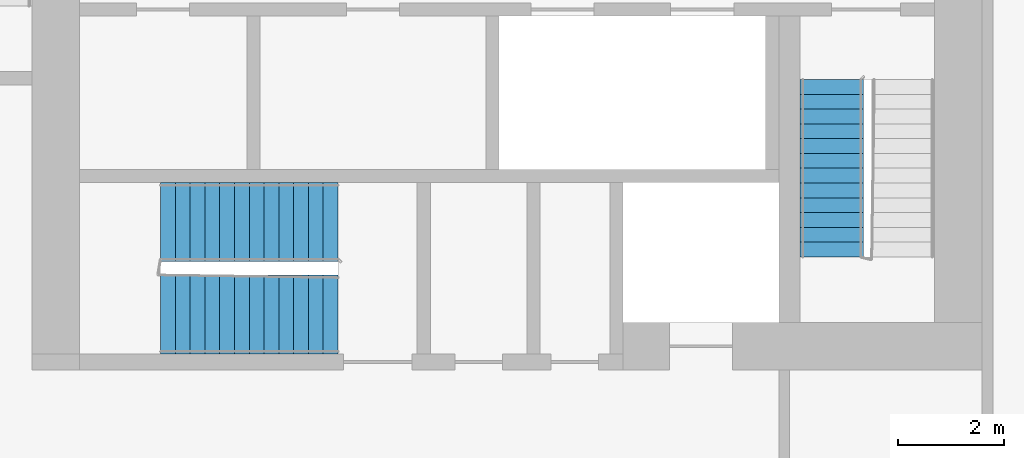
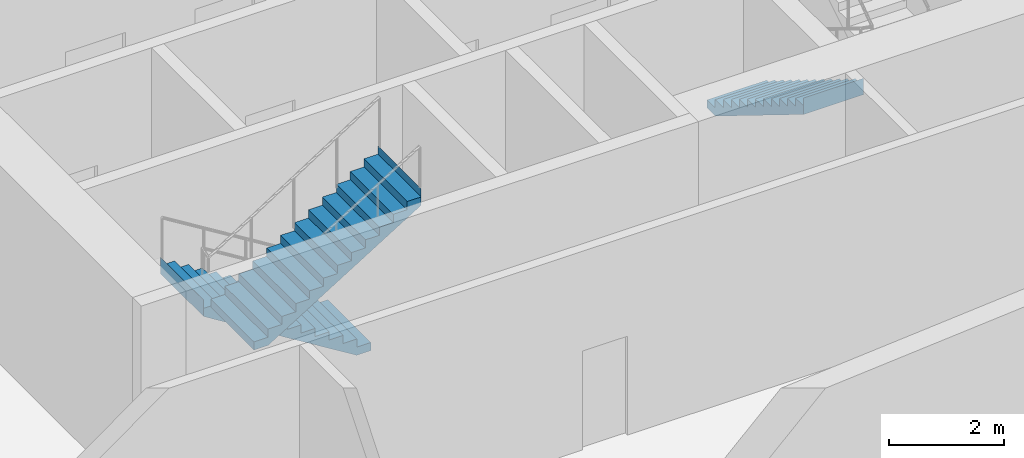
# One storey, part 17 of 21: 3 stair flights, 2 elements without a shape of their own.
"""IFC4 building model written with IfcOpenShell, lengths in metres."""

from ifc_helpers import new_model, si_unit, direction, frame, origin, place, context, subcontext, project, spatial, faceted_brep, material, type_object, element, aggregate, save


model = new_model("IFC4")

# Units and contexts
model_context = context("Model", 3, precision=1e-05, world=origin(), true_north=direction((0.0, 1.0)))
body_context = subcontext(model_context, "Body", "Model", "MODEL_VIEW")
ifc_project = project(units=[si_unit("LENGTHUNIT", "METRE"), si_unit("AREAUNIT", "SQUARE_METRE"), si_unit("VOLUMEUNIT", "CUBIC_METRE"), si_unit("PLANEANGLEUNIT", "RADIAN"), si_unit("MASSUNIT", "GRAM", prefix="KILO")], contexts=[model_context])

# Site, building, storey
site_placement = place(None, origin())
site = spatial("IfcSite", under=ifc_project, at=site_placement, CompositionType="ELEMENT")
building_placement = place(site_placement, origin())
building = spatial("IfcBuilding", under=site, at=building_placement, Name="Kajstack Hotel Tower", CompositionType="ELEMENT")
storey_placement = place(building_placement, frame((0.0, 0.0, 162.39990234375)))
storey = spatial("IfcBuildingStorey", under=building, at=storey_placement, Name="L37", CompositionType="ELEMENT", Elevation=162.39990234375)

# Stair, stair flight
ifc_material = material(Name="Concrete C40/50", Category="concrete")
stair_type_1 = type_object("IfcStairType", Name="Exit stair 1200", PredefinedType="HALF_TURN_STAIR", material=ifc_material)
stair_1_placement = place(storey_placement, origin())
stair_1 = element("IfcStair", 1, at=stair_1_placement, inside=storey, type_object=stair_type_1, Name="L37 stair W2", PredefinedType="HALF_TURN_STAIR")
stair_flight_type_1 = type_object("IfcStairFlightType", Name="Exit stair flight 1200", PredefinedType="STRAIGHT", material=ifc_material)
stair_flight_1_placement = place(storey_placement, frame((-16.35009765625, -10.0, 0.0), z_axis=(0.0, 0.0, 1.0), x_axis=(0.0, -1.0, 0.0)))
stair_flight_1 = element("IfcStairFlight", 2, at=stair_flight_1_placement, type_object=stair_flight_type_1, Name="W2 flight 1", NumberOfRisers=13, NumberOfTreads=12, PredefinedType="STRAIGHT", RiserHeight=0.173076923, TreadLength=0.28, context=body_context, shape_type="Brep", body=[
    faceted_brep([(0.28564453125, -0.60009765625, 0.0), (3.360595703125, -0.60009765625, 1.900634765625), (3.360595703125, -0.60009765625, 2.25), (3.360107421875, -0.60009765625, 2.25), (3.360107421875, -0.60009765625, 2.076904296875), (3.080078125, -0.60009765625, 2.076904296875), (3.080078125, -0.60009765625, 1.90380859375), (2.800048828125, -0.60009765625, 1.90380859375), (2.800048828125, -0.60009765625, 1.730712890625), (2.52001953125, -0.60009765625, 1.730712890625), (2.52001953125, -0.60009765625, 1.5576171875), (2.239990234375, -0.60009765625, 1.5576171875), (2.239990234375, -0.60009765625, 1.384521484375), (1.9599609375, -0.60009765625, 1.384521484375), (1.9599609375, -0.60009765625, 1.21142578125), (1.679931640625, -0.60009765625, 1.21142578125), (1.679931640625, -0.60009765625, 1.03857421875), (1.39990234375, -0.60009765625, 1.03857421875), (1.39990234375, -0.60009765625, 0.865478515625), (1.1201171875, -0.60009765625, 0.865478515625), (1.1201171875, -0.60009765625, 0.6923828125), (0.840087890625, -0.60009765625, 0.6923828125), (0.840087890625, -0.60009765625, 0.519287109375), (0.56005859375, -0.60009765625, 0.519287109375), (0.56005859375, -0.60009765625, 0.34619140625), (0.280029296875, -0.60009765625, 0.34619140625), (0.280029296875, -0.60009765625, 0.173095703125), (-0.00048828125, -0.60009765625, 0.173095703125), (-0.00048828125, -0.60009765625, 0.0), (-0.00048828125, 0.60009765625, 0.0), (-0.00048828125, 0.60009765625, 0.173095703125), (0.280029296875, 0.60009765625, 0.173095703125), (0.280029296875, 0.60009765625, 0.34619140625), (0.56005859375, 0.60009765625, 0.34619140625), (0.56005859375, 0.60009765625, 0.519287109375), (0.840087890625, 0.60009765625, 0.519287109375), (0.840087890625, 0.60009765625, 0.6923828125), (1.1201171875, 0.60009765625, 0.6923828125), (1.1201171875, 0.60009765625, 0.865478515625), (1.39990234375, 0.60009765625, 0.865478515625), (1.39990234375, 0.60009765625, 1.03857421875), (1.679931640625, 0.60009765625, 1.03857421875), (1.679931640625, 0.60009765625, 1.21142578125), (1.9599609375, 0.60009765625, 1.21142578125), (1.9599609375, 0.60009765625, 1.384521484375), (2.239990234375, 0.60009765625, 1.384521484375), (2.239990234375, 0.60009765625, 1.5576171875), (2.52001953125, 0.60009765625, 1.5576171875), (2.52001953125, 0.60009765625, 1.730712890625), (2.800048828125, 0.60009765625, 1.730712890625), (2.800048828125, 0.60009765625, 1.90380859375), (3.080078125, 0.60009765625, 1.90380859375), (3.080078125, 0.60009765625, 2.076904296875), (3.360107421875, 0.60009765625, 2.076904296875), (3.360107421875, 0.60009765625, 2.25), (3.360595703125, 0.60009765625, 2.25), (3.360595703125, 0.60009765625, 1.900634765625), (0.28564453125, 0.60009765625, 0.0), (-0.00048828125, -0.300048828125, 0.173095703125), (-0.00048828125, 0.0, 0.173095703125), (-0.00048828125, 0.300048828125, 0.173095703125), (-0.00048828125, 0.300048828125, 0.0), (-0.00048828125, 0.0, 0.0), (-0.00048828125, -0.300048828125, 0.0), (0.280029296875, -0.300048828125, 0.173095703125), (0.280029296875, 0.0, 0.173095703125), (0.280029296875, 0.300048828125, 0.173095703125), (0.280029296875, -0.300048828125, 0.34619140625), (0.280029296875, 0.0, 0.34619140625), (0.280029296875, 0.300048828125, 0.34619140625), (0.56005859375, -0.300048828125, 0.34619140625), (0.56005859375, 0.0, 0.34619140625), (0.56005859375, 0.300048828125, 0.34619140625), (0.56005859375, -0.300048828125, 0.519287109375), (0.56005859375, 0.0, 0.519287109375), (0.56005859375, 0.300048828125, 0.519287109375), (0.840087890625, -0.300048828125, 0.519287109375), (0.840087890625, 0.0, 0.519287109375), (0.840087890625, 0.300048828125, 0.519287109375), (0.840087890625, -0.300048828125, 0.6923828125), (0.840087890625, 0.0, 0.6923828125), (0.840087890625, 0.300048828125, 0.6923828125), (1.1201171875, -0.300048828125, 0.6923828125), (1.1201171875, 0.0, 0.6923828125), (1.1201171875, 0.300048828125, 0.6923828125), (1.1201171875, -0.300048828125, 0.865478515625), (1.1201171875, 0.0, 0.865478515625), (1.1201171875, 0.300048828125, 0.865478515625), (1.39990234375, -0.300048828125, 0.865478515625), (1.39990234375, 0.0, 0.865478515625), (1.39990234375, 0.300048828125, 0.865478515625), (1.39990234375, -0.300048828125, 1.03857421875), (1.39990234375, 0.0, 1.03857421875), (1.39990234375, 0.300048828125, 1.03857421875), (1.679931640625, -0.300048828125, 1.03857421875), (1.679931640625, 0.0, 1.03857421875), (1.679931640625, 0.300048828125, 1.03857421875), (1.679931640625, -0.300048828125, 1.21142578125), (1.679931640625, 0.0, 1.21142578125), (1.679931640625, 0.300048828125, 1.21142578125), (1.9599609375, -0.300048828125, 1.21142578125), (1.9599609375, 0.0, 1.21142578125), (1.9599609375, 0.300048828125, 1.21142578125), (1.9599609375, -0.300048828125, 1.384521484375), (1.9599609375, 0.0, 1.384521484375), (1.9599609375, 0.300048828125, 1.384521484375), (2.239990234375, -0.300048828125, 1.384521484375), (2.239990234375, 0.0, 1.384521484375), (2.239990234375, 0.300048828125, 1.384521484375), (2.239990234375, -0.300048828125, 1.5576171875), (2.239990234375, 0.0, 1.5576171875), (2.239990234375, 0.300048828125, 1.5576171875), (2.52001953125, -0.300048828125, 1.5576171875), (2.52001953125, 0.0, 1.5576171875), (2.52001953125, 0.300048828125, 1.5576171875), (2.52001953125, -0.300048828125, 1.730712890625), (2.52001953125, 0.0, 1.730712890625), (2.52001953125, 0.300048828125, 1.730712890625), (2.800048828125, -0.300048828125, 1.730712890625), (2.800048828125, 0.0, 1.730712890625), (2.800048828125, 0.300048828125, 1.730712890625), (2.800048828125, -0.300048828125, 1.90380859375), (2.800048828125, 0.0, 1.90380859375), (2.800048828125, 0.300048828125, 1.90380859375), (3.080078125, -0.300048828125, 1.90380859375), (3.080078125, 0.0, 1.90380859375), (3.080078125, 0.300048828125, 1.90380859375), (3.080078125, -0.300048828125, 2.076904296875), (3.080078125, 0.0, 2.076904296875), (3.080078125, 0.300048828125, 2.076904296875), (3.360107421875, -0.300048828125, 2.076904296875), (3.360107421875, 0.0, 2.076904296875), (3.360107421875, 0.300048828125, 2.076904296875), (3.360107421875, -0.300048828125, 2.25), (3.360107421875, 0.0, 2.25), (3.360107421875, 0.300048828125, 2.25), (3.360595703125, -0.300048828125, 2.25), (3.360595703125, 0.0, 2.25), (3.360595703125, 0.300048828125, 2.25), (3.360595703125, -0.300048828125, 1.900634765625), (3.360595703125, 0.0, 1.900634765625), (3.360595703125, 0.300048828125, 1.900634765625), (0.28564453125, -0.300048828125, 0.0), (0.28564453125, 0.0, 0.0), (0.28564453125, 0.300048828125, 0.0)], [[[0, 1, 2, 3, 4, 5, 6, 7, 8, 9, 10, 11, 12, 13, 14, 15, 16, 17, 18, 19, 20, 21, 22, 23, 24, 25, 26, 27, 28]], [[29, 30, 31, 32, 33, 34, 35, 36, 37, 38, 39, 40, 41, 42, 43, 44, 45, 46, 47, 48, 49, 50, 51, 52, 53, 54, 55, 56, 57]], [[27, 58, 59, 60, 30, 29, 61, 62, 63, 28]], [[26, 64, 65, 66, 31, 30, 60, 59, 58, 27]], [[25, 67, 68, 69, 32, 31, 66, 65, 64, 26]], [[24, 70, 71, 72, 33, 32, 69, 68, 67, 25]], [[23, 73, 74, 75, 34, 33, 72, 71, 70, 24]], [[22, 76, 77, 78, 35, 34, 75, 74, 73, 23]], [[21, 79, 80, 81, 36, 35, 78, 77, 76, 22]], [[20, 82, 83, 84, 37, 36, 81, 80, 79, 21]], [[19, 85, 86, 87, 38, 37, 84, 83, 82, 20]], [[18, 88, 89, 90, 39, 38, 87, 86, 85, 19]], [[17, 91, 92, 93, 40, 39, 90, 89, 88, 18]], [[16, 94, 95, 96, 41, 40, 93, 92, 91, 17]], [[15, 97, 98, 99, 42, 41, 96, 95, 94, 16]], [[14, 100, 101, 102, 43, 42, 99, 98, 97, 15]], [[13, 103, 104, 105, 44, 43, 102, 101, 100, 14]], [[12, 106, 107, 108, 45, 44, 105, 104, 103, 13]], [[11, 109, 110, 111, 46, 45, 108, 107, 106, 12]], [[10, 112, 113, 114, 47, 46, 111, 110, 109, 11]], [[9, 115, 116, 117, 48, 47, 114, 113, 112, 10]], [[8, 118, 119, 120, 49, 48, 117, 116, 115, 9]], [[7, 121, 122, 123, 50, 49, 120, 119, 118, 8]], [[6, 124, 125, 126, 51, 50, 123, 122, 121, 7]], [[5, 127, 128, 129, 52, 51, 126, 125, 124, 6]], [[4, 130, 131, 132, 53, 52, 129, 128, 127, 5]], [[3, 133, 134, 135, 54, 53, 132, 131, 130, 4]], [[2, 136, 137, 138, 55, 54, 135, 134, 133, 3]], [[1, 139, 140, 141, 56, 55, 138, 137, 136, 2]], [[0, 142, 143, 144, 57, 56, 141, 140, 139, 1]], [[28, 63, 62, 61, 29, 57, 144, 143, 142, 0]]]),
])
aggregate(stair_1, [stair_flight_1])

# Stair, stair flights
stair_type_2 = type_object("IfcStairType", Name="Exit stair 1500", PredefinedType="HALF_TURN_STAIR", material=ifc_material)
stair_2_placement = place(storey_placement, origin())
stair_2 = element("IfcStair", 3, at=stair_2_placement, inside=storey, type_object=stair_type_2, Name="L37 stair W3", PredefinedType="HALF_TURN_STAIR")
stair_flight_type_2 = type_object("IfcStairFlightType", Name="Exit stair flight 1500", PredefinedType="STRAIGHT", material=ifc_material)
stair_flight_2_placement = place(storey_placement, frame((-25.699951171875, -12.699951171875, 0.0), z_axis=(0.0, 0.0, 1.0), x_axis=(-1.0, 0.0, 0.0)))
stair_flight_2 = element("IfcStairFlight", 4, at=stair_flight_2_placement, type_object=stair_flight_type_2, Name="W3 flight 1", NumberOfRisers=13, NumberOfTreads=12, PredefinedType="STRAIGHT", RiserHeight=0.173076923, TreadLength=0.28, context=body_context, shape_type="Brep", body=[
    faceted_brep([(0.28564453125, -0.75, 0.0), (3.360595703125, -0.75, 1.900634765625), (3.360595703125, -0.75, 2.25), (3.360107421875, -0.75, 2.25), (3.360107421875, -0.75, 2.076904296875), (3.080078125, -0.75, 2.076904296875), (3.080078125, -0.75, 1.90380859375), (2.800048828125, -0.75, 1.90380859375), (2.800048828125, -0.75, 1.730712890625), (2.52001953125, -0.75, 1.730712890625), (2.52001953125, -0.75, 1.5576171875), (2.239990234375, -0.75, 1.5576171875), (2.239990234375, -0.75, 1.384521484375), (1.9599609375, -0.75, 1.384521484375), (1.9599609375, -0.75, 1.21142578125), (1.679931640625, -0.75, 1.21142578125), (1.679931640625, -0.75, 1.03857421875), (1.39990234375, -0.75, 1.03857421875), (1.39990234375, -0.75, 0.865478515625), (1.1201171875, -0.75, 0.865478515625), (1.1201171875, -0.75, 0.6923828125), (0.840087890625, -0.75, 0.6923828125), (0.840087890625, -0.75, 0.519287109375), (0.56005859375, -0.75, 0.519287109375), (0.56005859375, -0.75, 0.34619140625), (0.280029296875, -0.75, 0.34619140625), (0.280029296875, -0.75, 0.173095703125), (-0.00048828125, -0.75, 0.173095703125), (-0.00048828125, -0.75, 0.0), (-0.00048828125, 0.75, 0.0), (-0.00048828125, 0.75, 0.173095703125), (0.280029296875, 0.75, 0.173095703125), (0.280029296875, 0.75, 0.34619140625), (0.56005859375, 0.75, 0.34619140625), (0.56005859375, 0.75, 0.519287109375), (0.840087890625, 0.75, 0.519287109375), (0.840087890625, 0.75, 0.6923828125), (1.1201171875, 0.75, 0.6923828125), (1.1201171875, 0.75, 0.865478515625), (1.39990234375, 0.75, 0.865478515625), (1.39990234375, 0.75, 1.03857421875), (1.679931640625, 0.75, 1.03857421875), (1.679931640625, 0.75, 1.21142578125), (1.9599609375, 0.75, 1.21142578125), (1.9599609375, 0.75, 1.384521484375), (2.239990234375, 0.75, 1.384521484375), (2.239990234375, 0.75, 1.5576171875), (2.52001953125, 0.75, 1.5576171875), (2.52001953125, 0.75, 1.730712890625), (2.800048828125, 0.75, 1.730712890625), (2.800048828125, 0.75, 1.90380859375), (3.080078125, 0.75, 1.90380859375), (3.080078125, 0.75, 2.076904296875), (3.360107421875, 0.75, 2.076904296875), (3.360107421875, 0.75, 2.25), (3.360595703125, 0.75, 2.25), (3.360595703125, 0.75, 1.900634765625), (0.28564453125, 0.75, 0.0), (-0.00048828125, -0.375, 0.173095703125), (-0.00048828125, 0.0, 0.173095703125), (-0.00048828125, 0.375, 0.173095703125), (-0.00048828125, 0.375, 0.0), (-0.00048828125, 0.0, 0.0), (-0.00048828125, -0.375, 0.0), (0.280029296875, -0.375, 0.173095703125), (0.280029296875, 0.0, 0.173095703125), (0.280029296875, 0.375, 0.173095703125), (0.280029296875, -0.375, 0.34619140625), (0.280029296875, 0.0, 0.34619140625), (0.280029296875, 0.375, 0.34619140625), (0.56005859375, -0.375, 0.34619140625), (0.56005859375, 0.0, 0.34619140625), (0.56005859375, 0.375, 0.34619140625), (0.56005859375, -0.375, 0.519287109375), (0.56005859375, 0.0, 0.519287109375), (0.56005859375, 0.375, 0.519287109375), (0.840087890625, -0.375, 0.519287109375), (0.840087890625, 0.0, 0.519287109375), (0.840087890625, 0.375, 0.519287109375), (0.840087890625, -0.375, 0.6923828125), (0.840087890625, 0.0, 0.6923828125), (0.840087890625, 0.375, 0.6923828125), (1.1201171875, -0.375, 0.6923828125), (1.1201171875, 0.0, 0.6923828125), (1.1201171875, 0.375, 0.6923828125), (1.1201171875, -0.375, 0.865478515625), (1.1201171875, 0.0, 0.865478515625), (1.1201171875, 0.375, 0.865478515625), (1.39990234375, -0.375, 0.865478515625), (1.39990234375, 0.0, 0.865478515625), (1.39990234375, 0.375, 0.865478515625), (1.39990234375, -0.375, 1.03857421875), (1.39990234375, 0.0, 1.03857421875), (1.39990234375, 0.375, 1.03857421875), (1.679931640625, -0.375, 1.03857421875), (1.679931640625, 0.0, 1.03857421875), (1.679931640625, 0.375, 1.03857421875), (1.679931640625, -0.375, 1.21142578125), (1.679931640625, 0.0, 1.21142578125), (1.679931640625, 0.375, 1.21142578125), (1.9599609375, -0.375, 1.21142578125), (1.9599609375, 0.0, 1.21142578125), (1.9599609375, 0.375, 1.21142578125), (1.9599609375, -0.375, 1.384521484375), (1.9599609375, 0.0, 1.384521484375), (1.9599609375, 0.375, 1.384521484375), (2.239990234375, -0.375, 1.384521484375), (2.239990234375, 0.0, 1.384521484375), (2.239990234375, 0.375, 1.384521484375), (2.239990234375, -0.375, 1.5576171875), (2.239990234375, 0.0, 1.5576171875), (2.239990234375, 0.375, 1.5576171875), (2.52001953125, -0.375, 1.5576171875), (2.52001953125, 0.0, 1.5576171875), (2.52001953125, 0.375, 1.5576171875), (2.52001953125, -0.375, 1.730712890625), (2.52001953125, 0.0, 1.730712890625), (2.52001953125, 0.375, 1.730712890625), (2.800048828125, -0.375, 1.730712890625), (2.800048828125, 0.0, 1.730712890625), (2.800048828125, 0.375, 1.730712890625), (2.800048828125, -0.375, 1.90380859375), (2.800048828125, 0.0, 1.90380859375), (2.800048828125, 0.375, 1.90380859375), (3.080078125, -0.375, 1.90380859375), (3.080078125, 0.0, 1.90380859375), (3.080078125, 0.375, 1.90380859375), (3.080078125, -0.375, 2.076904296875), (3.080078125, 0.0, 2.076904296875), (3.080078125, 0.375, 2.076904296875), (3.360107421875, -0.375, 2.076904296875), (3.360107421875, 0.0, 2.076904296875), (3.360107421875, 0.375, 2.076904296875), (3.360107421875, -0.375, 2.25), (3.360107421875, 0.0, 2.25), (3.360107421875, 0.375, 2.25), (3.360595703125, -0.375, 2.25), (3.360595703125, 0.0, 2.25), (3.360595703125, 0.375, 2.25), (3.360595703125, -0.375, 1.900634765625), (3.360595703125, 0.0, 1.900634765625), (3.360595703125, 0.375, 1.900634765625), (0.28564453125, -0.375, 0.0), (0.28564453125, 0.0, 0.0), (0.28564453125, 0.375, 0.0)], [[[0, 1, 2, 3, 4, 5, 6, 7, 8, 9, 10, 11, 12, 13, 14, 15, 16, 17, 18, 19, 20, 21, 22, 23, 24, 25, 26, 27, 28]], [[29, 30, 31, 32, 33, 34, 35, 36, 37, 38, 39, 40, 41, 42, 43, 44, 45, 46, 47, 48, 49, 50, 51, 52, 53, 54, 55, 56, 57]], [[27, 58, 59, 60, 30, 29, 61, 62, 63, 28]], [[26, 64, 65, 66, 31, 30, 60, 59, 58, 27]], [[25, 67, 68, 69, 32, 31, 66, 65, 64, 26]], [[24, 70, 71, 72, 33, 32, 69, 68, 67, 25]], [[23, 73, 74, 75, 34, 33, 72, 71, 70, 24]], [[22, 76, 77, 78, 35, 34, 75, 74, 73, 23]], [[21, 79, 80, 81, 36, 35, 78, 77, 76, 22]], [[20, 82, 83, 84, 37, 36, 81, 80, 79, 21]], [[19, 85, 86, 87, 38, 37, 84, 83, 82, 20]], [[18, 88, 89, 90, 39, 38, 87, 86, 85, 19]], [[17, 91, 92, 93, 40, 39, 90, 89, 88, 18]], [[16, 94, 95, 96, 41, 40, 93, 92, 91, 17]], [[15, 97, 98, 99, 42, 41, 96, 95, 94, 16]], [[14, 100, 101, 102, 43, 42, 99, 98, 97, 15]], [[13, 103, 104, 105, 44, 43, 102, 101, 100, 14]], [[12, 106, 107, 108, 45, 44, 105, 104, 103, 13]], [[11, 109, 110, 111, 46, 45, 108, 107, 106, 12]], [[10, 112, 113, 114, 47, 46, 111, 110, 109, 11]], [[9, 115, 116, 117, 48, 47, 114, 113, 112, 10]], [[8, 118, 119, 120, 49, 48, 117, 116, 115, 9]], [[7, 121, 122, 123, 50, 49, 120, 119, 118, 8]], [[6, 124, 125, 126, 51, 50, 123, 122, 121, 7]], [[5, 127, 128, 129, 52, 51, 126, 125, 124, 6]], [[4, 130, 131, 132, 53, 52, 129, 128, 127, 5]], [[3, 133, 134, 135, 54, 53, 132, 131, 130, 4]], [[2, 136, 137, 138, 55, 54, 135, 134, 133, 3]], [[1, 139, 140, 141, 56, 55, 138, 137, 136, 2]], [[0, 142, 143, 144, 57, 56, 141, 140, 139, 1]], [[28, 63, 62, 61, 29, 57, 144, 143, 142, 0]]]),
])
stair_flight_3_placement = place(storey_placement, frame((-29.06005859375, -14.449951171875, 2.25), z_axis=(0.0, 0.0, 1.0), x_axis=(1.0, 0.0, 0.0)))
stair_flight_3 = element("IfcStairFlight", 5, at=stair_flight_3_placement, type_object=stair_flight_type_2, Name="W3 flight 2", NumberOfRisers=13, NumberOfTreads=12, PredefinedType="STRAIGHT", RiserHeight=0.173076923, TreadLength=0.28, context=body_context, shape_type="Brep", body=[
    faceted_brep([(0.28564453125, -0.75, 0.0), (3.360595703125, -0.75, 1.900634765625), (3.360595703125, -0.75, 2.25), (3.360107421875, -0.75, 2.25), (3.360107421875, -0.75, 2.076904296875), (3.080078125, -0.75, 2.076904296875), (3.080078125, -0.75, 1.90380859375), (2.800048828125, -0.75, 1.90380859375), (2.800048828125, -0.75, 1.730712890625), (2.52001953125, -0.75, 1.730712890625), (2.52001953125, -0.75, 1.5576171875), (2.239990234375, -0.75, 1.5576171875), (2.239990234375, -0.75, 1.384521484375), (1.9599609375, -0.75, 1.384521484375), (1.9599609375, -0.75, 1.21142578125), (1.679931640625, -0.75, 1.21142578125), (1.679931640625, -0.75, 1.03857421875), (1.39990234375, -0.75, 1.03857421875), (1.39990234375, -0.75, 0.865478515625), (1.1201171875, -0.75, 0.865478515625), (1.1201171875, -0.75, 0.6923828125), (0.840087890625, -0.75, 0.6923828125), (0.840087890625, -0.75, 0.519287109375), (0.56005859375, -0.75, 0.519287109375), (0.56005859375, -0.75, 0.34619140625), (0.280029296875, -0.75, 0.34619140625), (0.280029296875, -0.75, 0.173095703125), (-0.00048828125, -0.75, 0.173095703125), (-0.00048828125, -0.75, 0.0), (-0.00048828125, 0.75, 0.0), (-0.00048828125, 0.75, 0.173095703125), (0.280029296875, 0.75, 0.173095703125), (0.280029296875, 0.75, 0.34619140625), (0.56005859375, 0.75, 0.34619140625), (0.56005859375, 0.75, 0.519287109375), (0.840087890625, 0.75, 0.519287109375), (0.840087890625, 0.75, 0.6923828125), (1.1201171875, 0.75, 0.6923828125), (1.1201171875, 0.75, 0.865478515625), (1.39990234375, 0.75, 0.865478515625), (1.39990234375, 0.75, 1.03857421875), (1.679931640625, 0.75, 1.03857421875), (1.679931640625, 0.75, 1.21142578125), (1.9599609375, 0.75, 1.21142578125), (1.9599609375, 0.75, 1.384521484375), (2.239990234375, 0.75, 1.384521484375), (2.239990234375, 0.75, 1.5576171875), (2.52001953125, 0.75, 1.5576171875), (2.52001953125, 0.75, 1.730712890625), (2.800048828125, 0.75, 1.730712890625), (2.800048828125, 0.75, 1.90380859375), (3.080078125, 0.75, 1.90380859375), (3.080078125, 0.75, 2.076904296875), (3.360107421875, 0.75, 2.076904296875), (3.360107421875, 0.75, 2.25), (3.360595703125, 0.75, 2.25), (3.360595703125, 0.75, 1.900634765625), (0.28564453125, 0.75, 0.0), (-0.00048828125, -0.375, 0.173095703125), (-0.00048828125, 0.0, 0.173095703125), (-0.00048828125, 0.375, 0.173095703125), (-0.00048828125, 0.375, 0.0), (-0.00048828125, 0.0, 0.0), (-0.00048828125, -0.375, 0.0), (0.280029296875, -0.375, 0.173095703125), (0.280029296875, 0.0, 0.173095703125), (0.280029296875, 0.375, 0.173095703125), (0.280029296875, -0.375, 0.34619140625), (0.280029296875, 0.0, 0.34619140625), (0.280029296875, 0.375, 0.34619140625), (0.56005859375, -0.375, 0.34619140625), (0.56005859375, 0.0, 0.34619140625), (0.56005859375, 0.375, 0.34619140625), (0.56005859375, -0.375, 0.519287109375), (0.56005859375, 0.0, 0.519287109375), (0.56005859375, 0.375, 0.519287109375), (0.840087890625, -0.375, 0.519287109375), (0.840087890625, 0.0, 0.519287109375), (0.840087890625, 0.375, 0.519287109375), (0.840087890625, -0.375, 0.6923828125), (0.840087890625, 0.0, 0.6923828125), (0.840087890625, 0.375, 0.6923828125), (1.1201171875, -0.375, 0.6923828125), (1.1201171875, 0.0, 0.6923828125), (1.1201171875, 0.375, 0.6923828125), (1.1201171875, -0.375, 0.865478515625), (1.1201171875, 0.0, 0.865478515625), (1.1201171875, 0.375, 0.865478515625), (1.39990234375, -0.375, 0.865478515625), (1.39990234375, 0.0, 0.865478515625), (1.39990234375, 0.375, 0.865478515625), (1.39990234375, -0.375, 1.03857421875), (1.39990234375, 0.0, 1.03857421875), (1.39990234375, 0.375, 1.03857421875), (1.679931640625, -0.375, 1.03857421875), (1.679931640625, 0.0, 1.03857421875), (1.679931640625, 0.375, 1.03857421875), (1.679931640625, -0.375, 1.21142578125), (1.679931640625, 0.0, 1.21142578125), (1.679931640625, 0.375, 1.21142578125), (1.9599609375, -0.375, 1.21142578125), (1.9599609375, 0.0, 1.21142578125), (1.9599609375, 0.375, 1.21142578125), (1.9599609375, -0.375, 1.384521484375), (1.9599609375, 0.0, 1.384521484375), (1.9599609375, 0.375, 1.384521484375), (2.239990234375, -0.375, 1.384521484375), (2.239990234375, 0.0, 1.384521484375), (2.239990234375, 0.375, 1.384521484375), (2.239990234375, -0.375, 1.5576171875), (2.239990234375, 0.0, 1.5576171875), (2.239990234375, 0.375, 1.5576171875), (2.52001953125, -0.375, 1.5576171875), (2.52001953125, 0.0, 1.5576171875), (2.52001953125, 0.375, 1.5576171875), (2.52001953125, -0.375, 1.730712890625), (2.52001953125, 0.0, 1.730712890625), (2.52001953125, 0.375, 1.730712890625), (2.800048828125, -0.375, 1.730712890625), (2.800048828125, 0.0, 1.730712890625), (2.800048828125, 0.375, 1.730712890625), (2.800048828125, -0.375, 1.90380859375), (2.800048828125, 0.0, 1.90380859375), (2.800048828125, 0.375, 1.90380859375), (3.080078125, -0.375, 1.90380859375), (3.080078125, 0.0, 1.90380859375), (3.080078125, 0.375, 1.90380859375), (3.080078125, -0.375, 2.076904296875), (3.080078125, 0.0, 2.076904296875), (3.080078125, 0.375, 2.076904296875), (3.360107421875, -0.375, 2.076904296875), (3.360107421875, 0.0, 2.076904296875), (3.360107421875, 0.375, 2.076904296875), (3.360107421875, -0.375, 2.25), (3.360107421875, 0.0, 2.25), (3.360107421875, 0.375, 2.25), (3.360595703125, -0.375, 2.25), (3.360595703125, 0.0, 2.25), (3.360595703125, 0.375, 2.25), (3.360595703125, -0.375, 1.900634765625), (3.360595703125, 0.0, 1.900634765625), (3.360595703125, 0.375, 1.900634765625), (0.28564453125, -0.375, 0.0), (0.28564453125, 0.0, 0.0), (0.28564453125, 0.375, 0.0)], [[[0, 1, 2, 3, 4, 5, 6, 7, 8, 9, 10, 11, 12, 13, 14, 15, 16, 17, 18, 19, 20, 21, 22, 23, 24, 25, 26, 27, 28]], [[29, 30, 31, 32, 33, 34, 35, 36, 37, 38, 39, 40, 41, 42, 43, 44, 45, 46, 47, 48, 49, 50, 51, 52, 53, 54, 55, 56, 57]], [[27, 58, 59, 60, 30, 29, 61, 62, 63, 28]], [[26, 64, 65, 66, 31, 30, 60, 59, 58, 27]], [[25, 67, 68, 69, 32, 31, 66, 65, 64, 26]], [[24, 70, 71, 72, 33, 32, 69, 68, 67, 25]], [[23, 73, 74, 75, 34, 33, 72, 71, 70, 24]], [[22, 76, 77, 78, 35, 34, 75, 74, 73, 23]], [[21, 79, 80, 81, 36, 35, 78, 77, 76, 22]], [[20, 82, 83, 84, 37, 36, 81, 80, 79, 21]], [[19, 85, 86, 87, 38, 37, 84, 83, 82, 20]], [[18, 88, 89, 90, 39, 38, 87, 86, 85, 19]], [[17, 91, 92, 93, 40, 39, 90, 89, 88, 18]], [[16, 94, 95, 96, 41, 40, 93, 92, 91, 17]], [[15, 97, 98, 99, 42, 41, 96, 95, 94, 16]], [[14, 100, 101, 102, 43, 42, 99, 98, 97, 15]], [[13, 103, 104, 105, 44, 43, 102, 101, 100, 14]], [[12, 106, 107, 108, 45, 44, 105, 104, 103, 13]], [[11, 109, 110, 111, 46, 45, 108, 107, 106, 12]], [[10, 112, 113, 114, 47, 46, 111, 110, 109, 11]], [[9, 115, 116, 117, 48, 47, 114, 113, 112, 10]], [[8, 118, 119, 120, 49, 48, 117, 116, 115, 9]], [[7, 121, 122, 123, 50, 49, 120, 119, 118, 8]], [[6, 124, 125, 126, 51, 50, 123, 122, 121, 7]], [[5, 127, 128, 129, 52, 51, 126, 125, 124, 6]], [[4, 130, 131, 132, 53, 52, 129, 128, 127, 5]], [[3, 133, 134, 135, 54, 53, 132, 131, 130, 4]], [[2, 136, 137, 138, 55, 54, 135, 134, 133, 3]], [[1, 139, 140, 141, 56, 55, 138, 137, 136, 2]], [[0, 142, 143, 144, 57, 56, 141, 140, 139, 1]], [[28, 63, 62, 61, 29, 57, 144, 143, 142, 0]]]),
])
aggregate(stair_2, [stair_flight_2, stair_flight_3])

save(model, "model.ifc")
